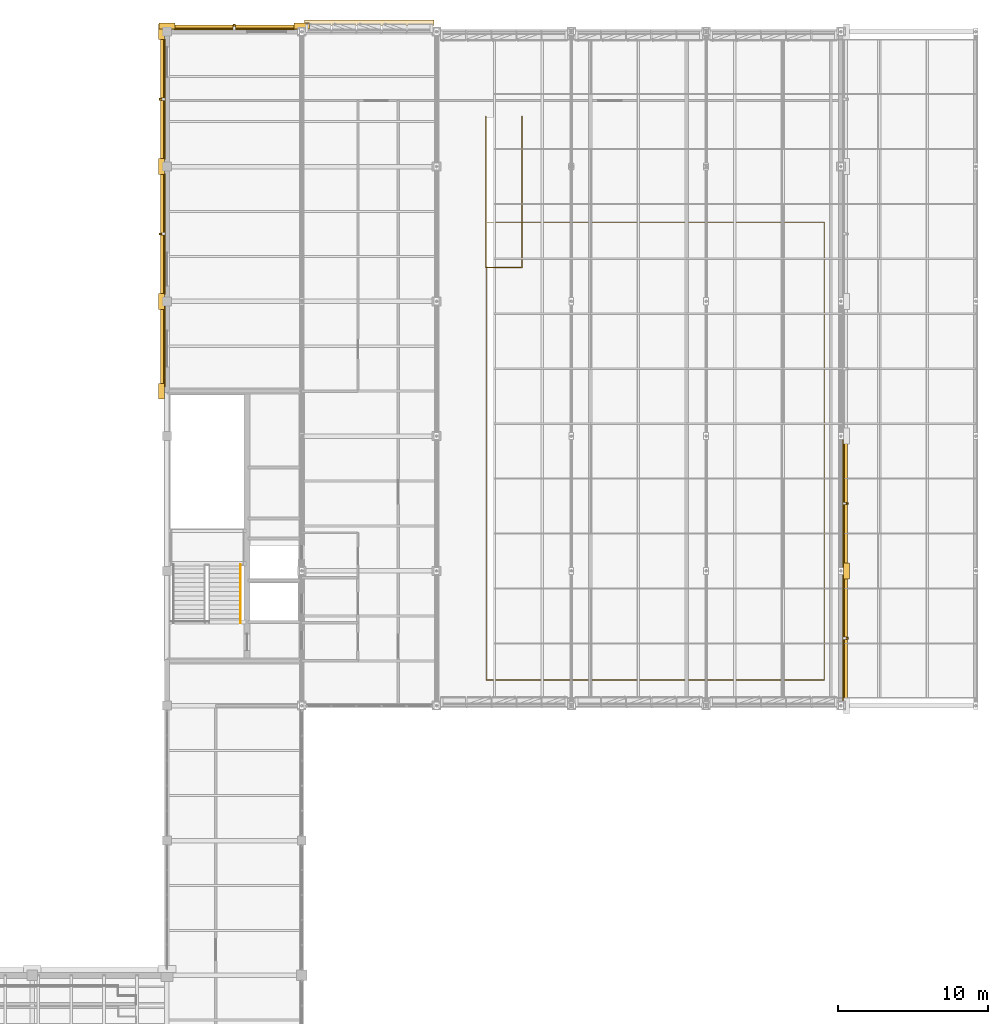
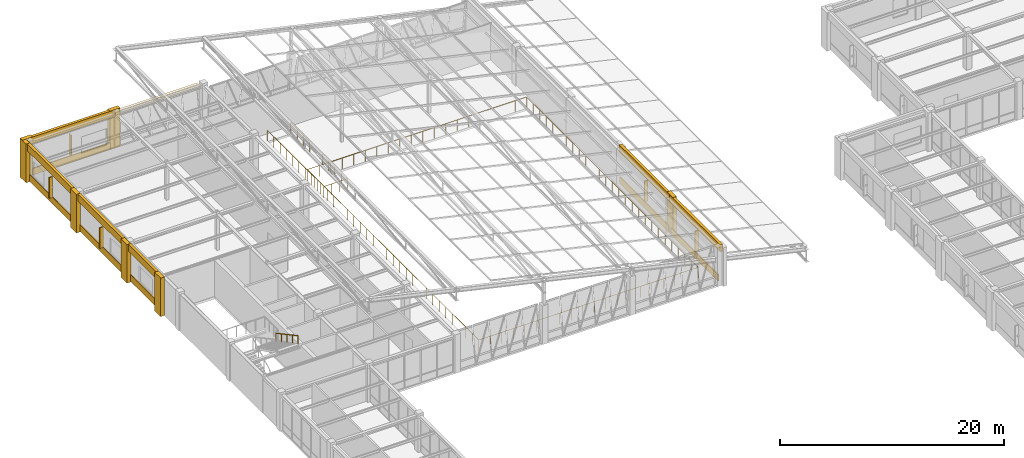
# One storey, part 128 of 130: 20 coverings, 5 shading devices, 3 railings.
"""IFC4 building model written with IfcOpenShell, lengths in metres."""

from ifc_helpers import new_model, si_unit, direction, frame, origin, origin_2d, place, context, subcontext, project, spatial, rectangle, circle, extrude, material, layer, layer_set, type_object, element, save


model = new_model("IFC4")

# Units and contexts
model_context = context("Model", 3, precision=1e-05, world=origin(), true_north=direction((0.0, 1.0)))
body_context = subcontext(model_context, "Body", "Model", "MODEL_VIEW")
ifc_project = project(units=[si_unit("LENGTHUNIT", "METRE"), si_unit("AREAUNIT", "SQUARE_METRE"), si_unit("VOLUMEUNIT", "CUBIC_METRE"), si_unit("PLANEANGLEUNIT", "RADIAN"), si_unit("MASSUNIT", "GRAM", prefix="KILO")], contexts=[model_context])

# Site, building, storey
site_placement = place(None, origin())
site = spatial("IfcSite", under=ifc_project, at=site_placement, CompositionType="ELEMENT")
building_placement = place(site_placement, origin())
building = spatial("IfcBuilding", under=site, at=building_placement, Name="Lykobir Media Centre", CompositionType="ELEMENT")
storey_placement = place(building_placement, frame((0.0, 0.0, 19.199951171875)))
storey = spatial("IfcBuildingStorey", under=building, at=storey_placement, Name="L04", CompositionType="ELEMENT", Elevation=19.199951171875)

# Coverings
ifc_material_1 = material(Name="Glazed Turquoise Terracotta", Category="masonry")
ifc_layer_1 = layer(ifc_material_1, 0.0400390625, Name="Glazed Turquoise Terracotta")
ifc_layer_set_1 = layer_set([ifc_layer_1], Name="Glazed Turquoise Terracotta")
covering_type_1 = type_object("IfcCoveringType", Name="CLD-TERR", PredefinedType="CLADDING", material=ifc_layer_set_1)
covering_1_placement = place(storey_placement, frame((72.1708984375, 67.5, 0.080078125), z_axis=(0.0, 0.0, 1.0), x_axis=(0.0, 1.0, 0.0)))
element("IfcCovering", 1, at=covering_1_placement, inside=storey, type_object=covering_type_1, Name="Facade spandrel apron 628", PredefinedType="CLADDING", context=body_context, shape_type="SweptSolid", body=[
    extrude(rectangle(XDim=8.389892578125, YDim=0.10009765625, at=origin_2d()), origin(), (0.0, 0.0, 1.0), 0.719970703125),
])
covering_2_placement = place(storey_placement, frame((72.1708984375, 76.5, 0.080078125), z_axis=(0.0, 0.0, 1.0), x_axis=(0.0, 1.0, 0.0)))
element("IfcCovering", 2, at=covering_2_placement, inside=storey, type_object=covering_type_1, Name="Facade spandrel apron 631", PredefinedType="CLADDING", context=body_context, shape_type="SweptSolid", body=[
    extrude(rectangle(XDim=8.75, YDim=0.10009765625, at=origin_2d()), origin(), (0.0, 0.0, 1.0), 0.719970703125),
])
covering_3_placement = place(storey_placement, frame((31.5, 108.1708984375, 0.080078125), z_axis=(0.0, 0.0, 1.0), x_axis=(-1.0, 0.0, 0.0)))
element("IfcCovering", 3, at=covering_3_placement, inside=storey, type_object=covering_type_1, Name="Facade spandrel apron 644", PredefinedType="CLADDING", context=body_context, shape_type="SweptSolid", body=[
    extrude(rectangle(XDim=8.030029296875, YDim=0.10009765625, at=origin_2d()), origin(), (0.0, 0.0, 1.0), 0.719970703125),
])
covering_4_placement = place(storey_placement, frame((26.8291015625, 87.0, 0.080078125), z_axis=(0.0, 0.0, 1.0), x_axis=(0.0, -1.0, 0.0)))
element("IfcCovering", 4, at=covering_4_placement, inside=storey, type_object=covering_type_1, Name="Facade spandrel apron 649", PredefinedType="CLADDING", context=body_context, shape_type="SweptSolid", body=[
    extrude(rectangle(XDim=5.389892578125, YDim=0.10009765625, at=origin_2d()), origin(), (0.0, 0.0, 1.0), 0.719970703125),
])
for number, where, z_axis, x_axis, name in (
    (5, (26.8291015625, 94.5, 0.080078125), (0.0, 0.0, 1.0), (0.0, -1.0, 0.0), "Facade spandrel apron 652"),
    (6, (26.8291015625, 103.5, 0.080078125), (0.0, 0.0, 1.0), (0.0, -1.0, 0.0), "Facade spandrel apron 655"),
):
    element("IfcCovering", number, at=place(storey_placement, frame(where, z_axis=z_axis, x_axis=x_axis)), inside=storey, type_object=covering_type_1, Name=name, PredefinedType="CLADDING", context=body_context, shape_type="SweptSolid", body=[
        extrude(rectangle(XDim=8.030029296875, YDim=0.10009765625, at=origin_2d()), origin(), (0.0, 0.0, 1.0), 0.719970703125),
    ])
ifc_material_2 = material(Name="Honed Travertine Stone", Category="masonry")
ifc_layer_2 = layer(ifc_material_2, 0.050048828125, Name="Honed Travertine Stone")
ifc_layer_set_2 = layer_set([ifc_layer_2], Name="Honed Travertine Stone")
covering_type_2 = type_object("IfcCoveringType", Name="CLD-TRAV", PredefinedType="CLADDING", material=ifc_layer_set_2)
covering_5_placement = place(storey_placement, frame((72.3798828125, 72.0, 0.0), z_axis=(0.0, 0.0, 1.0), x_axis=(0.0, 1.0, 0.0)))
element("IfcCovering", 7, at=covering_5_placement, inside=storey, type_object=covering_type_2, Name="Travertine column pier 626", PredefinedType="CLADDING", context=body_context, shape_type="SweptSolid", body=[
    extrude(rectangle(XDim=1.06005859375, YDim=0.39990234375, at=origin_2d()), origin(), (0.0, 0.0, 1.0), 4.199951171875),
])
for number, where, z_axis, x_axis, name in (
    (8, (72.300048828125, 67.5, 3.43994140625), (0.0, 0.0, 1.0), (0.0, 1.0, 0.0), "Travertine spandrel stringcourse 627"),
    (9, (72.300048828125, 76.5, 3.43994140625), (0.0, 0.0, 1.0), (0.0, 1.0, 0.0), "Travertine spandrel stringcourse 630"),
):
    element("IfcCovering", number, at=place(storey_placement, frame(where, z_axis=z_axis, x_axis=x_axis)), inside=storey, type_object=covering_type_2, Name=name, PredefinedType="CLADDING", context=body_context, shape_type="SweptSolid", body=[
        extrude(rectangle(XDim=9.0, YDim=0.280029296875, at=origin_2d()), origin(), (0.0, 0.0, 1.0), 0.760009765625),
    ])
for number, where, z_axis, x_axis, name in (
    (10, (36.0, 108.3798828125, 0.0), (0.0, 0.0, 1.0), (-1.0, 0.0, 0.0), "Travertine column pier 641"),
    (11, (27.0, 108.3798828125, 0.0), (0.0, 0.0, 1.0), (-1.0, 0.0, 0.0), "Travertine column pier 642"),
):
    element("IfcCovering", number, at=place(storey_placement, frame(where, z_axis=z_axis, x_axis=x_axis)), inside=storey, type_object=covering_type_2, Name=name, PredefinedType="CLADDING", context=body_context, shape_type="SweptSolid", body=[
        extrude(rectangle(XDim=1.06005859375, YDim=0.39990234375, at=origin_2d()), origin(), (0.0, 0.0, 1.0), 4.199951171875),
    ])
covering_6_placement = place(storey_placement, frame((31.5, 108.300048828125, 3.43994140625), z_axis=(0.0, 0.0, 1.0), x_axis=(-1.0, 0.0, 0.0)))
element("IfcCovering", 12, at=covering_6_placement, inside=storey, type_object=covering_type_2, Name="Travertine spandrel stringcourse 643", PredefinedType="CLADDING", context=body_context, shape_type="SweptSolid", body=[
    extrude(rectangle(XDim=9.0, YDim=0.280029296875, at=origin_2d()), origin(), (0.0, 0.0, 1.0), 0.760009765625),
])
covering_7_placement = place(storey_placement, frame((40.5, 108.603759765625, 3.3251953125), z_axis=(0.0, 0.0, 1.0), x_axis=(-1.0, 0.0, 0.0)))
element("IfcCovering", 13, at=covering_7_placement, inside=storey, type_object=covering_type_2, Name="V6 diagonal crease rib 645", PredefinedType="CLADDING", context=body_context, shape_type="SweptSolid", body=[
    extrude(rectangle(XDim=8.6298828125, YDim=0.360107421875, at=origin_2d()), origin(), (0.0, 0.0, 1.0), 0.340087890625),
])
for number, where, z_axis, x_axis, name in (
    (14, (26.6201171875, 90.0, 0.0), (0.0, 0.0, 1.0), (0.0, -1.0, 0.0), "Travertine column pier 646"),
    (15, (26.6201171875, 84.0, 0.0), (0.0, 0.0, 1.0), (0.0, -1.0, 0.0), "Travertine column pier 647"),
):
    element("IfcCovering", number, at=place(storey_placement, frame(where, z_axis=z_axis, x_axis=x_axis)), inside=storey, type_object=covering_type_2, Name=name, PredefinedType="CLADDING", context=body_context, shape_type="SweptSolid", body=[
        extrude(rectangle(XDim=1.06005859375, YDim=0.39990234375, at=origin_2d()), origin(), (0.0, 0.0, 1.0), 4.199951171875),
    ])
covering_8_placement = place(storey_placement, frame((26.699951171875, 87.0, 3.43994140625), z_axis=(0.0, 0.0, 1.0), x_axis=(0.0, -1.0, 0.0)))
element("IfcCovering", 16, at=covering_8_placement, inside=storey, type_object=covering_type_2, Name="Travertine spandrel stringcourse 648", PredefinedType="CLADDING", context=body_context, shape_type="SweptSolid", body=[
    extrude(rectangle(XDim=6.0, YDim=0.280029296875, at=origin_2d()), origin(), (0.0, 0.0, 1.0), 0.760009765625),
])
covering_9_placement = place(storey_placement, frame((26.6201171875, 99.0, 0.0), z_axis=(0.0, 0.0, 1.0), x_axis=(0.0, -1.0, 0.0)))
element("IfcCovering", 17, at=covering_9_placement, inside=storey, type_object=covering_type_2, Name="Travertine column pier 650", PredefinedType="CLADDING", context=body_context, shape_type="SweptSolid", body=[
    extrude(rectangle(XDim=1.06005859375, YDim=0.39990234375, at=origin_2d()), origin(), (0.0, 0.0, 1.0), 4.199951171875),
])
covering_10_placement = place(storey_placement, frame((26.699951171875, 94.5, 3.43994140625), z_axis=(0.0, 0.0, 1.0), x_axis=(0.0, -1.0, 0.0)))
element("IfcCovering", 18, at=covering_10_placement, inside=storey, type_object=covering_type_2, Name="Travertine spandrel stringcourse 651", PredefinedType="CLADDING", context=body_context, shape_type="SweptSolid", body=[
    extrude(rectangle(XDim=9.0, YDim=0.280029296875, at=origin_2d()), origin(), (0.0, 0.0, 1.0), 0.760009765625),
])
covering_11_placement = place(storey_placement, frame((26.6201171875, 108.0, 0.0), z_axis=(0.0, 0.0, 1.0), x_axis=(0.0, -1.0, 0.0)))
element("IfcCovering", 19, at=covering_11_placement, inside=storey, type_object=covering_type_2, Name="Travertine column pier 653", PredefinedType="CLADDING", context=body_context, shape_type="SweptSolid", body=[
    extrude(rectangle(XDim=1.06005859375, YDim=0.39990234375, at=origin_2d()), origin(), (0.0, 0.0, 1.0), 4.199951171875),
])
covering_12_placement = place(storey_placement, frame((26.699951171875, 103.5, 3.43994140625), z_axis=(0.0, 0.0, 1.0), x_axis=(0.0, -1.0, 0.0)))
element("IfcCovering", 20, at=covering_12_placement, inside=storey, type_object=covering_type_2, Name="Travertine spandrel stringcourse 654", PredefinedType="CLADDING", context=body_context, shape_type="SweptSolid", body=[
    extrude(rectangle(XDim=9.0, YDim=0.280029296875, at=origin_2d()), origin(), (0.0, 0.0, 1.0), 0.760009765625),
])

# Railings
ifc_material_3 = material(Name="Steel S355", Category="steel")
railing_type_1 = type_object("IfcRailingType", Name="GR-1200", PredefinedType="BALUSTRADE", material=ifc_material_3)
railing_1_placement = place(storey_placement, frame((48.294921875, 102.320068359375, 0.0)))
element("IfcRailing", 21, at=railing_1_placement, inside=storey, type_object=railing_type_1, Name="Valley stair 4 L04 well balustrade", PredefinedType="BALUSTRADE", context=body_context, shape_type="SweptSolid", body=[
    extrude(circle(Radius=0.02392578125, at=origin_2d()), frame((0.0, 0.0, 1.17578125), z_axis=(0.0, -1.0, 0.0), x_axis=(1.0, 0.0, 0.0)), (0.0, 0.0, 1.0), 10.06005859375),
    extrude(circle(Radius=0.02392578125, at=origin_2d()), frame((0.0, -10.06005859375, 1.17578125), z_axis=(1.0, 0.0, 0.0), x_axis=(0.0, 1.0, 0.0)), (0.0, 0.0, 1.0), 2.41015625),
    extrude(circle(Radius=0.02392578125, at=origin_2d()), frame((2.41015625, -10.06005859375, 1.17578125), z_axis=(0.0, 1.0, 0.0), x_axis=(-1.0, 0.0, 0.0)), (0.0, 0.0, 1.0), 10.06005859375),
    extrude(circle(Radius=0.02099609375, at=origin_2d()), origin(), (0.0, 0.0, 1.0), 1.15185546875),
    extrude(circle(Radius=0.02099609375, at=origin_2d()), frame((0.0, -1.11767578125, 0.0)), (0.0, 0.0, 1.0), 1.15185546875),
    extrude(circle(Radius=0.02099609375, at=origin_2d()), frame((0.0, -2.235595703125, 0.0)), (0.0, 0.0, 1.0), 1.15185546875),
    extrude(circle(Radius=0.02099609375, at=origin_2d()), frame((0.0, -3.353271484375, 0.0)), (0.0, 0.0, 1.0), 1.15185546875),
    extrude(circle(Radius=0.02099609375, at=origin_2d()), frame((0.0, -4.47119140625, 0.0)), (0.0, 0.0, 1.0), 1.15185546875),
    extrude(circle(Radius=0.02099609375, at=origin_2d()), frame((0.0, -5.5888671875, 0.0)), (0.0, 0.0, 1.0), 1.15185546875),
    extrude(circle(Radius=0.02099609375, at=origin_2d()), frame((0.0, -6.706787109375, 0.0)), (0.0, 0.0, 1.0), 1.15185546875),
    extrude(circle(Radius=0.02099609375, at=origin_2d()), frame((0.0, -7.824462890625, 0.0)), (0.0, 0.0, 1.0), 1.15185546875),
    extrude(circle(Radius=0.02099609375, at=origin_2d()), frame((0.0, -8.9423828125, 0.0)), (0.0, 0.0, 1.0), 1.15185546875),
    extrude(circle(Radius=0.02099609375, at=origin_2d()), frame((0.0, -10.06005859375, 0.0)), (0.0, 0.0, 1.0), 1.15185546875),
    extrude(circle(Radius=0.02099609375, at=origin_2d()), frame((0.803466796875, -10.06005859375, 0.0)), (0.0, 0.0, 1.0), 1.15185546875),
    extrude(circle(Radius=0.02099609375, at=origin_2d()), frame((1.606689453125, -10.06005859375, 0.0)), (0.0, 0.0, 1.0), 1.15185546875),
    extrude(circle(Radius=0.02099609375, at=origin_2d()), frame((2.41015625, -10.06005859375, 0.0)), (0.0, 0.0, 1.0), 1.15185546875),
    extrude(circle(Radius=0.02099609375, at=origin_2d()), frame((2.41015625, -8.9423828125, 0.0)), (0.0, 0.0, 1.0), 1.15185546875),
    extrude(circle(Radius=0.02099609375, at=origin_2d()), frame((2.41015625, -7.824462890625, 0.0)), (0.0, 0.0, 1.0), 1.15185546875),
    extrude(circle(Radius=0.02099609375, at=origin_2d()), frame((2.41015625, -6.706787109375, 0.0)), (0.0, 0.0, 1.0), 1.15185546875),
    extrude(circle(Radius=0.02099609375, at=origin_2d()), frame((2.41015625, -5.5888671875, 0.0)), (0.0, 0.0, 1.0), 1.15185546875),
    extrude(circle(Radius=0.02099609375, at=origin_2d()), frame((2.41015625, -4.47119140625, 0.0)), (0.0, 0.0, 1.0), 1.15185546875),
    extrude(circle(Radius=0.02099609375, at=origin_2d()), frame((2.41015625, -3.353271484375, 0.0)), (0.0, 0.0, 1.0), 1.15185546875),
    extrude(circle(Radius=0.02099609375, at=origin_2d()), frame((2.41015625, -2.235595703125, 0.0)), (0.0, 0.0, 1.0), 1.15185546875),
    extrude(circle(Radius=0.02099609375, at=origin_2d()), frame((2.41015625, -1.11767578125, 0.0)), (0.0, 0.0, 1.0), 1.15185546875),
    extrude(circle(Radius=0.02099609375, at=origin_2d()), frame((2.41015625, 0.0, 0.0)), (0.0, 0.0, 1.0), 1.15185546875),
])
railing_2_placement = place(storey_placement, frame((48.320068359375, 95.219970703125, 0.0)))
element("IfcRailing", 22, at=railing_2_placement, inside=storey, type_object=railing_type_1, Name="L04 stepped valley atrium balustrade", PredefinedType="BALUSTRADE", context=body_context, shape_type="SweptSolid", body=[
    extrude(circle(Radius=0.02392578125, at=origin_2d()), frame((0.0, 0.0, 1.17578125), z_axis=(0.0, -1.0, 0.0), x_axis=(1.0, 0.0, 0.0)), (0.0, 0.0, 1.0), 30.5),
    extrude(circle(Radius=0.02392578125, at=origin_2d()), frame((0.0, -30.5, 1.17578125), z_axis=(1.0, 0.0, 0.0), x_axis=(0.0, 1.0, 0.0)), (0.0, 0.0, 1.0), 22.559814453125),
    extrude(circle(Radius=0.02392578125, at=origin_2d()), frame((22.559814453125, -30.5, 1.17578125), z_axis=(0.0, 1.0, 0.0), x_axis=(-1.0, 0.0, 0.0)), (0.0, 0.0, 1.0), 30.56005859375),
    extrude(circle(Radius=0.02392578125, at=origin_2d()), frame((22.559814453125, 0.06005859375, 1.17578125), z_axis=(-1.0, 0.0, 0.0), x_axis=(0.0, -1.0, 0.0)), (0.0, 0.0, 1.0), 22.5),
    extrude(circle(Radius=0.02099609375, at=origin_2d()), origin(), (0.0, 0.0, 1.0), 1.15185546875),
    extrude(circle(Radius=0.02099609375, at=origin_2d()), frame((0.0, -1.173095703125, 0.0)), (0.0, 0.0, 1.0), 1.15185546875),
    extrude(circle(Radius=0.02099609375, at=origin_2d()), frame((0.0, -2.34619140625, 0.0)), (0.0, 0.0, 1.0), 1.15185546875),
    extrude(circle(Radius=0.02099609375, at=origin_2d()), frame((0.0, -3.519287109375, 0.0)), (0.0, 0.0, 1.0), 1.15185546875),
    extrude(circle(Radius=0.02099609375, at=origin_2d()), frame((0.0, -4.6923828125, 0.0)), (0.0, 0.0, 1.0), 1.15185546875),
    extrude(circle(Radius=0.02099609375, at=origin_2d()), frame((0.0, -5.865478515625, 0.0)), (0.0, 0.0, 1.0), 1.15185546875),
    extrude(circle(Radius=0.02099609375, at=origin_2d()), frame((0.0, -7.03857421875, 0.0)), (0.0, 0.0, 1.0), 1.15185546875),
    extrude(circle(Radius=0.02099609375, at=origin_2d()), frame((0.0, -8.21142578125, 0.0)), (0.0, 0.0, 1.0), 1.15185546875),
    extrude(circle(Radius=0.02099609375, at=origin_2d()), frame((0.0, -9.384521484375, 0.0)), (0.0, 0.0, 1.0), 1.15185546875),
    extrude(circle(Radius=0.02099609375, at=origin_2d()), frame((0.0, -10.5576171875, 0.0)), (0.0, 0.0, 1.0), 1.15185546875),
    extrude(circle(Radius=0.02099609375, at=origin_2d()), frame((0.0, -11.730712890625, 0.0)), (0.0, 0.0, 1.0), 1.15185546875),
    extrude(circle(Radius=0.02099609375, at=origin_2d()), frame((0.0, -12.90380859375, 0.0)), (0.0, 0.0, 1.0), 1.15185546875),
    extrude(circle(Radius=0.02099609375, at=origin_2d()), frame((0.0, -14.076904296875, 0.0)), (0.0, 0.0, 1.0), 1.15185546875),
    extrude(circle(Radius=0.02099609375, at=origin_2d()), frame((0.0, -15.25, 0.0)), (0.0, 0.0, 1.0), 1.15185546875),
    extrude(circle(Radius=0.02099609375, at=origin_2d()), frame((0.0, -16.423095703125, 0.0)), (0.0, 0.0, 1.0), 1.15185546875),
    extrude(circle(Radius=0.02099609375, at=origin_2d()), frame((0.0, -17.59619140625, 0.0)), (0.0, 0.0, 1.0), 1.15185546875),
    extrude(circle(Radius=0.02099609375, at=origin_2d()), frame((0.0, -18.769287109375, 0.0)), (0.0, 0.0, 1.0), 1.15185546875),
    extrude(circle(Radius=0.02099609375, at=origin_2d()), frame((0.0, -19.9423828125, 0.0)), (0.0, 0.0, 1.0), 1.15185546875),
    extrude(circle(Radius=0.02099609375, at=origin_2d()), frame((0.0, -21.115478515625, 0.0)), (0.0, 0.0, 1.0), 1.15185546875),
    extrude(circle(Radius=0.02099609375, at=origin_2d()), frame((0.0, -22.28857421875, 0.0)), (0.0, 0.0, 1.0), 1.15185546875),
    extrude(circle(Radius=0.02099609375, at=origin_2d()), frame((0.0, -23.46142578125, 0.0)), (0.0, 0.0, 1.0), 1.15185546875),
    extrude(circle(Radius=0.02099609375, at=origin_2d()), frame((0.0, -24.634521484375, 0.0)), (0.0, 0.0, 1.0), 1.15185546875),
    extrude(circle(Radius=0.02099609375, at=origin_2d()), frame((0.0, -25.8076171875, 0.0)), (0.0, 0.0, 1.0), 1.15185546875),
    extrude(circle(Radius=0.02099609375, at=origin_2d()), frame((0.0, -26.980712890625, 0.0)), (0.0, 0.0, 1.0), 1.15185546875),
    extrude(circle(Radius=0.02099609375, at=origin_2d()), frame((0.0, -28.15380859375, 0.0)), (0.0, 0.0, 1.0), 1.15185546875),
    extrude(circle(Radius=0.02099609375, at=origin_2d()), frame((0.0, -29.326904296875, 0.0)), (0.0, 0.0, 1.0), 1.15185546875),
    extrude(circle(Radius=0.02099609375, at=origin_2d()), frame((0.0, -30.5, 0.0)), (0.0, 0.0, 1.0), 1.15185546875),
    extrude(circle(Radius=0.02099609375, at=origin_2d()), frame((1.187255859375, -30.5, 0.0)), (0.0, 0.0, 1.0), 1.15185546875),
    extrude(circle(Radius=0.02099609375, at=origin_2d()), frame((2.374755859375, -30.5, 0.0)), (0.0, 0.0, 1.0), 1.15185546875),
    extrude(circle(Radius=0.02099609375, at=origin_2d()), frame((3.56201171875, -30.5, 0.0)), (0.0, 0.0, 1.0), 1.15185546875),
    extrude(circle(Radius=0.02099609375, at=origin_2d()), frame((4.74951171875, -30.5, 0.0)), (0.0, 0.0, 1.0), 1.15185546875),
    extrude(circle(Radius=0.02099609375, at=origin_2d()), frame((5.936767578125, -30.5, 0.0)), (0.0, 0.0, 1.0), 1.15185546875),
    extrude(circle(Radius=0.02099609375, at=origin_2d()), frame((7.124267578125, -30.5, 0.0)), (0.0, 0.0, 1.0), 1.15185546875),
    extrude(circle(Radius=0.02099609375, at=origin_2d()), frame((8.3115234375, -30.5, 0.0)), (0.0, 0.0, 1.0), 1.15185546875),
    extrude(circle(Radius=0.02099609375, at=origin_2d()), frame((9.498779296875, -30.5, 0.0)), (0.0, 0.0, 1.0), 1.15185546875),
    extrude(circle(Radius=0.02099609375, at=origin_2d()), frame((10.686279296875, -30.5, 0.0)), (0.0, 0.0, 1.0), 1.15185546875),
    extrude(circle(Radius=0.02099609375, at=origin_2d()), frame((11.87353515625, -30.5, 0.0)), (0.0, 0.0, 1.0), 1.15185546875),
    extrude(circle(Radius=0.02099609375, at=origin_2d()), frame((13.06103515625, -30.5, 0.0)), (0.0, 0.0, 1.0), 1.15185546875),
    extrude(circle(Radius=0.02099609375, at=origin_2d()), frame((14.248291015625, -30.5, 0.0)), (0.0, 0.0, 1.0), 1.15185546875),
    extrude(circle(Radius=0.02099609375, at=origin_2d()), frame((15.435546875, -30.5, 0.0)), (0.0, 0.0, 1.0), 1.15185546875),
    extrude(circle(Radius=0.02099609375, at=origin_2d()), frame((16.623046875, -30.5, 0.0)), (0.0, 0.0, 1.0), 1.15185546875),
    extrude(circle(Radius=0.02099609375, at=origin_2d()), frame((17.810302734375, -30.5, 0.0)), (0.0, 0.0, 1.0), 1.15185546875),
    extrude(circle(Radius=0.02099609375, at=origin_2d()), frame((18.997802734375, -30.5, 0.0)), (0.0, 0.0, 1.0), 1.15185546875),
    extrude(circle(Radius=0.02099609375, at=origin_2d()), frame((20.18505859375, -30.5, 0.0)), (0.0, 0.0, 1.0), 1.15185546875),
    extrude(circle(Radius=0.02099609375, at=origin_2d()), frame((21.37255859375, -30.5, 0.0)), (0.0, 0.0, 1.0), 1.15185546875),
    extrude(circle(Radius=0.02099609375, at=origin_2d()), frame((22.559814453125, -30.5, 0.0)), (0.0, 0.0, 1.0), 1.15185546875),
    extrude(circle(Radius=0.02099609375, at=origin_2d()), frame((22.559814453125, -29.32470703125, 0.0)), (0.0, 0.0, 1.0), 1.15185546875),
    extrude(circle(Radius=0.02099609375, at=origin_2d()), frame((22.559814453125, -28.149169921875, 0.0)), (0.0, 0.0, 1.0), 1.15185546875),
    extrude(circle(Radius=0.02099609375, at=origin_2d()), frame((22.559814453125, -26.973876953125, 0.0)), (0.0, 0.0, 1.0), 1.15185546875),
    extrude(circle(Radius=0.02099609375, at=origin_2d()), frame((22.559814453125, -25.79833984375, 0.0)), (0.0, 0.0, 1.0), 1.15185546875),
    extrude(circle(Radius=0.02099609375, at=origin_2d()), frame((22.559814453125, -24.623046875, 0.0)), (0.0, 0.0, 1.0), 1.15185546875),
    extrude(circle(Radius=0.02099609375, at=origin_2d()), frame((22.559814453125, -23.44775390625, 0.0)), (0.0, 0.0, 1.0), 1.15185546875),
    extrude(circle(Radius=0.02099609375, at=origin_2d()), frame((22.559814453125, -22.272216796875, 0.0)), (0.0, 0.0, 1.0), 1.15185546875),
    extrude(circle(Radius=0.02099609375, at=origin_2d()), frame((22.559814453125, -21.096923828125, 0.0)), (0.0, 0.0, 1.0), 1.15185546875),
    extrude(circle(Radius=0.02099609375, at=origin_2d()), frame((22.559814453125, -19.921630859375, 0.0)), (0.0, 0.0, 1.0), 1.15185546875),
    extrude(circle(Radius=0.02099609375, at=origin_2d()), frame((22.559814453125, -18.74609375, 0.0)), (0.0, 0.0, 1.0), 1.15185546875),
    extrude(circle(Radius=0.02099609375, at=origin_2d()), frame((22.559814453125, -17.57080078125, 0.0)), (0.0, 0.0, 1.0), 1.15185546875),
    extrude(circle(Radius=0.02099609375, at=origin_2d()), frame((22.559814453125, -16.395263671875, 0.0)), (0.0, 0.0, 1.0), 1.15185546875),
    extrude(circle(Radius=0.02099609375, at=origin_2d()), frame((22.559814453125, -15.219970703125, 0.0)), (0.0, 0.0, 1.0), 1.15185546875),
    extrude(circle(Radius=0.02099609375, at=origin_2d()), frame((22.559814453125, -14.044677734375, 0.0)), (0.0, 0.0, 1.0), 1.15185546875),
    extrude(circle(Radius=0.02099609375, at=origin_2d()), frame((22.559814453125, -12.869140625, 0.0)), (0.0, 0.0, 1.0), 1.15185546875),
    extrude(circle(Radius=0.02099609375, at=origin_2d()), frame((22.559814453125, -11.69384765625, 0.0)), (0.0, 0.0, 1.0), 1.15185546875),
    extrude(circle(Radius=0.02099609375, at=origin_2d()), frame((22.559814453125, -10.518310546875, 0.0)), (0.0, 0.0, 1.0), 1.15185546875),
    extrude(circle(Radius=0.02099609375, at=origin_2d()), frame((22.559814453125, -9.343017578125, 0.0)), (0.0, 0.0, 1.0), 1.15185546875),
    extrude(circle(Radius=0.02099609375, at=origin_2d()), frame((22.559814453125, -8.167724609375, 0.0)), (0.0, 0.0, 1.0), 1.15185546875),
    extrude(circle(Radius=0.02099609375, at=origin_2d()), frame((22.559814453125, -6.9921875, 0.0)), (0.0, 0.0, 1.0), 1.15185546875),
    extrude(circle(Radius=0.02099609375, at=origin_2d()), frame((22.559814453125, -5.81689453125, 0.0)), (0.0, 0.0, 1.0), 1.15185546875),
    extrude(circle(Radius=0.02099609375, at=origin_2d()), frame((22.559814453125, -4.6416015625, 0.0)), (0.0, 0.0, 1.0), 1.15185546875),
    extrude(circle(Radius=0.02099609375, at=origin_2d()), frame((22.559814453125, -3.466064453125, 0.0)), (0.0, 0.0, 1.0), 1.15185546875),
    extrude(circle(Radius=0.02099609375, at=origin_2d()), frame((22.559814453125, -2.290771484375, 0.0)), (0.0, 0.0, 1.0), 1.15185546875),
    extrude(circle(Radius=0.02099609375, at=origin_2d()), frame((22.559814453125, -1.115234375, 0.0)), (0.0, 0.0, 1.0), 1.15185546875),
    extrude(circle(Radius=0.02099609375, at=origin_2d()), frame((22.559814453125, 0.06005859375, 0.0)), (0.0, 0.0, 1.0), 1.15185546875),
    extrude(circle(Radius=0.02099609375, at=origin_2d()), frame((21.37548828125, 0.06005859375, 0.0)), (0.0, 0.0, 1.0), 1.15185546875),
    extrude(circle(Radius=0.02099609375, at=origin_2d()), frame((20.19140625, 0.06005859375, 0.0)), (0.0, 0.0, 1.0), 1.15185546875),
    extrude(circle(Radius=0.02099609375, at=origin_2d()), frame((19.007080078125, 0.06005859375, 0.0)), (0.0, 0.0, 1.0), 1.15185546875),
    extrude(circle(Radius=0.02099609375, at=origin_2d()), frame((17.822998046875, 0.06005859375, 0.0)), (0.0, 0.0, 1.0), 1.15185546875),
    extrude(circle(Radius=0.02099609375, at=origin_2d()), frame((16.638671875, 0.06005859375, 0.0)), (0.0, 0.0, 1.0), 1.15185546875),
    extrude(circle(Radius=0.02099609375, at=origin_2d()), frame((15.45458984375, 0.06005859375, 0.0)), (0.0, 0.0, 1.0), 1.15185546875),
    extrude(circle(Radius=0.02099609375, at=origin_2d()), frame((14.270263671875, 0.06005859375, 0.0)), (0.0, 0.0, 1.0), 1.15185546875),
    extrude(circle(Radius=0.02099609375, at=origin_2d()), frame((13.086181640625, 0.06005859375, 0.0)), (0.0, 0.0, 1.0), 1.15185546875),
    extrude(circle(Radius=0.02099609375, at=origin_2d()), frame((11.90185546875, 0.06005859375, 0.0)), (0.0, 0.0, 1.0), 1.15185546875),
    extrude(circle(Radius=0.02099609375, at=origin_2d()), frame((10.7177734375, 0.06005859375, 0.0)), (0.0, 0.0, 1.0), 1.15185546875),
    extrude(circle(Radius=0.02099609375, at=origin_2d()), frame((9.533447265625, 0.06005859375, 0.0)), (0.0, 0.0, 1.0), 1.15185546875),
    extrude(circle(Radius=0.02099609375, at=origin_2d()), frame((8.349365234375, 0.06005859375, 0.0)), (0.0, 0.0, 1.0), 1.15185546875),
    extrude(circle(Radius=0.02099609375, at=origin_2d()), frame((7.1650390625, 0.06005859375, 0.0)), (0.0, 0.0, 1.0), 1.15185546875),
    extrude(circle(Radius=0.02099609375, at=origin_2d()), frame((5.98095703125, 0.06005859375, 0.0)), (0.0, 0.0, 1.0), 1.15185546875),
    extrude(circle(Radius=0.02099609375, at=origin_2d()), frame((4.796630859375, 0.06005859375, 0.0)), (0.0, 0.0, 1.0), 1.15185546875),
    extrude(circle(Radius=0.02099609375, at=origin_2d()), frame((3.612548828125, 0.06005859375, 0.0)), (0.0, 0.0, 1.0), 1.15185546875),
    extrude(circle(Radius=0.02099609375, at=origin_2d()), frame((2.42822265625, 0.06005859375, 0.0)), (0.0, 0.0, 1.0), 1.15185546875),
    extrude(circle(Radius=0.02099609375, at=origin_2d()), frame((1.244140625, 0.06005859375, 0.0)), (0.0, 0.0, 1.0), 1.15185546875),
    extrude(circle(Radius=0.02099609375, at=origin_2d()), frame((0.059814453125, 0.06005859375, 0.0)), (0.0, 0.0, 1.0), 1.15185546875),
])
railing_type_2 = type_object("IfcRailingType", Name="HR-0900", PredefinedType="HANDRAIL", material=ifc_material_3)
railing_3_placement = place(storey_placement, frame((31.909912109375, 72.429931640625, 2.10009765625)))
element("IfcRailing", 23, at=railing_3_placement, inside=storey, type_object=railing_type_2, Name="ST-3 L04 F2 wall handrail", PredefinedType="HANDRAIL", context=body_context, shape_type="SweptSolid", body=[
    extrude(circle(Radius=0.02392578125, at=origin_2d()), frame((0.0, 0.0, 0.8759765625), z_axis=(0.0, -0.88047994924, 0.474083388219), x_axis=(1.0, 0.0, 0.0)), (0.0, 0.0, 1.0), 4.42919921875),
    extrude(circle(Radius=0.02099609375, at=origin_2d()), origin(), (0.0, 0.0, 1.0), 0.851806640625),
    extrude(circle(Radius=0.02099609375, at=origin_2d()), frame((0.0, -0.97509765625, 0.52490234375)), (0.0, 0.0, 1.0), 0.851806640625),
    extrude(circle(Radius=0.02099609375, at=origin_2d()), frame((0.0, -1.949951171875, 1.0498046875)), (0.0, 0.0, 1.0), 0.851806640625),
    extrude(circle(Radius=0.02099609375, at=origin_2d()), frame((0.0, -2.9248046875, 1.574951171875)), (0.0, 0.0, 1.0), 0.851806640625),
    extrude(circle(Radius=0.02099609375, at=origin_2d()), frame((0.0, -3.89990234375, 2.099853515625)), (0.0, 0.0, 1.0), 0.851806640625),
])

# Shading devices
shading_device_type = type_object("IfcShadingDeviceType", Name="SHD-FIN", PredefinedType="USERDEFINED", material=ifc_material_1)
for number, where, z_axis, x_axis, name in (
    (24, (72.324951171875, 67.5, 0.72509765625), (0.0, 0.0, 1.0), (0.0, 1.0, 0.0), "Terracotta shading fin 56"),
    (25, (72.324951171875, 76.5, 0.72509765625), (0.0, 0.0, 1.0), (0.0, 1.0, 0.0), "Terracotta shading fin 57"),
    (26, (31.5, 108.324951171875, 0.72509765625), (0.0, 0.0, 1.0), (-1.0, 0.0, 0.0), "Terracotta shading fin 61"),
    (27, (26.675048828125, 94.5, 0.72509765625), (0.0, 0.0, 1.0), (0.0, -1.0, 0.0), "Terracotta shading fin 62"),
    (28, (26.675048828125, 103.5, 0.72509765625), (0.0, 0.0, 1.0), (0.0, -1.0, 0.0), "Terracotta shading fin 63"),
):
    element("IfcShadingDevice", number, at=place(storey_placement, frame(where, z_axis=z_axis, x_axis=x_axis)), inside=storey, type_object=shading_device_type, Name=name, ObjectType="FIN", PredefinedType="USERDEFINED", context=body_context, shape_type="SweptSolid", body=[
        extrude(rectangle(XDim=0.1201171875, YDim=0.35009765625, at=origin_2d()), origin(), (0.0, 0.0, 1.0), 2.25),
    ])

save(model, "model.ifc")
